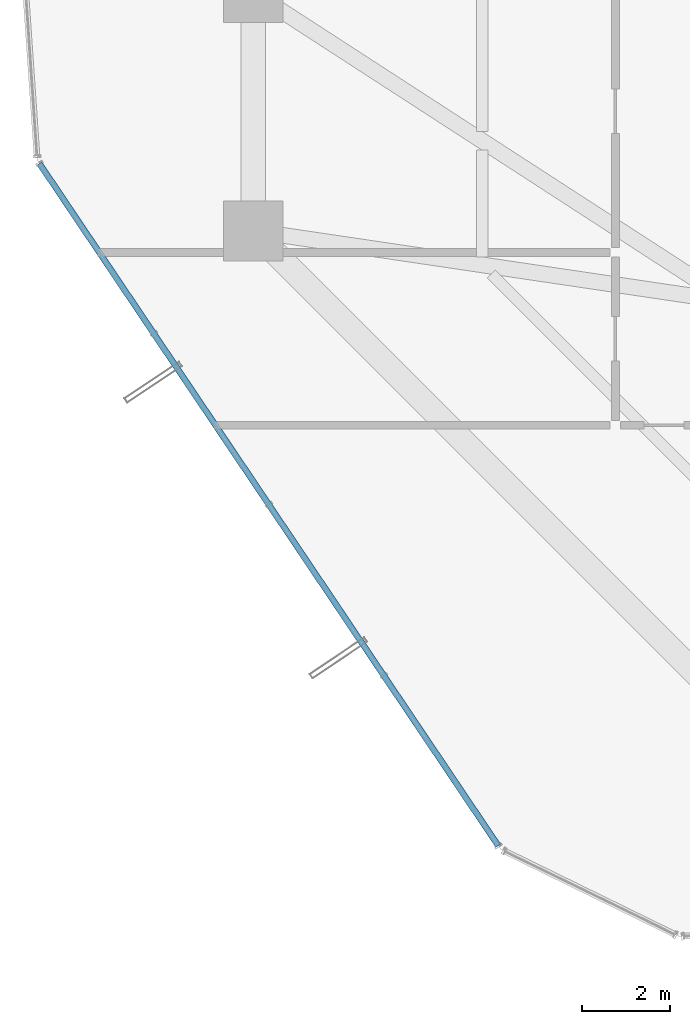
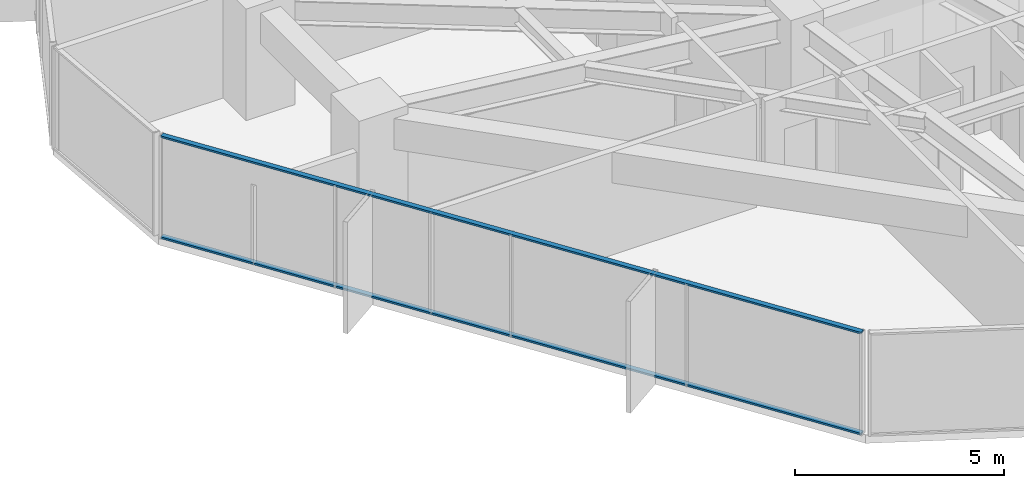
# One storey, part 3 of 37: 2 members, 1 element without a shape of its own.
"""IFC4 building model written with IfcOpenShell, lengths in metres."""

import ifcopenshell
import ifcopenshell.guid

model = None  # the IFC model being written
_history = None  # IfcOwnerHistory: only IFC2X3 demands one
_inside = {}  # id of a spatial element -> (the spatial element, [elements in it])
_under = {}  # id of a project, library or spatial element -> (it, [spatial elements below it])
_declared = {}  # id of a project -> (the project, [libraries it declares])
_typed = {}  # id of a type object -> (the type object, [elements of that type])
_made_of = {}  # id of a material, layer set ... -> (it, [elements and type objects made of it])


def new_model(schema):
    """Start an empty IFC model of exactly this schema.

    Asked for "IFC4X3", IfcOpenShell would pick the latest addendum, in which some entities
    have other attributes; the version numbers below select the first issue.
    IFC2X3 requires an IfcOwnerHistory on every rooted entity: one is made here for all.
    """
    global model, _history
    if schema == "IFC4X3":
        model = ifcopenshell.file(schema_version=(4, 3, 0, 0))
    else:
        model = ifcopenshell.file(schema=schema)
    _inside.clear()
    _under.clear()
    _declared.clear()
    _typed.clear()
    _made_of.clear()
    _history = None
    if model.schema == "IFC2X3":
        org = make("IfcOrganization", Name="unknown")
        user = make(
            "IfcPersonAndOrganization",
            ThePerson=make("IfcPerson", FamilyName="unknown"),
            TheOrganization=org,
        )
        app = make(
            "IfcApplication",
            ApplicationDeveloper=org,
            Version="unknown",
            ApplicationFullName="unknown",
            ApplicationIdentifier="unknown",
        )
        _history = make(
            "IfcOwnerHistory",
            OwningUser=user,
            OwningApplication=app,
            ChangeAction="ADDED",
            CreationDate=0,
        )
    return model


def make(cls, **values):
    """One entity of the class cls with the attributes given. An attribute that is None is left unset."""
    return model.create_entity(
        cls, **{name: value for name, value in values.items() if value is not None}
    )


def rooted(cls, **values):
    """An entity with a GlobalId (a new one), such as an element, a storey or a relation."""
    return make(cls, GlobalId=ifcopenshell.guid.new(), OwnerHistory=_history, **values)


def si_unit(unit_type, name, prefix=None):
    """IfcSIUnit, for example si_unit("LENGTHUNIT", "METRE", prefix="MILLI")."""
    return make("IfcSIUnit", UnitType=unit_type, Prefix=prefix, Name=name)


def assignment(units):
    """IfcUnitAssignment: the units of a project."""
    return None if units is None else make("IfcUnitAssignment", Units=units)


def point(xyz):
    """IfcCartesianPoint."""
    return None if xyz is None else make("IfcCartesianPoint", Coordinates=xyz)


def direction(xyz):
    """IfcDirection."""
    return None if xyz is None else make("IfcDirection", DirectionRatios=xyz)


def frame(location, z_axis=None, x_axis=None):
    """IfcAxis2Placement3D, a coordinate frame: its origin and axes. An axis left out is left unset."""
    return make(
        "IfcAxis2Placement3D",
        Location=point(location),
        Axis=direction(z_axis),
        RefDirection=direction(x_axis),
    )


def frame_2d(location, x_axis=None):
    """IfcAxis2Placement2D, a coordinate frame in the plane: its origin and x axis."""
    return make(
        "IfcAxis2Placement2D", Location=point(location), RefDirection=direction(x_axis)
    )


def origin():
    """The frame at (0, 0, 0) with its axes left unset."""
    return frame((0.0, 0.0, 0.0))


def origin_2d():
    """The frame at (0, 0) in the plane with its x axis left unset."""
    return frame_2d((0.0, 0.0))


def place(relative_to, where):
    """IfcLocalPlacement: puts the frame where relative to a parent placement (None: the world)."""
    return make(
        "IfcLocalPlacement", PlacementRelTo=relative_to, RelativePlacement=where
    )


def context(
    kind, dimensions, precision=None, world=None, true_north=None, identifier=None
):
    """IfcGeometricRepresentationContext, for example the 3D "Model" context."""
    return make(
        "IfcGeometricRepresentationContext",
        ContextIdentifier=identifier,
        ContextType=kind,
        CoordinateSpaceDimension=dimensions,
        Precision=precision,
        WorldCoordinateSystem=world,
        TrueNorth=true_north,
    )


def subcontext(parent, identifier, kind, view, scale=None):
    """IfcGeometricRepresentationSubContext, for example "Body" below "Model"."""
    return make(
        "IfcGeometricRepresentationSubContext",
        ContextIdentifier=identifier,
        ContextType=kind,
        ParentContext=parent,
        TargetScale=scale,
        TargetView=view,
    )


def project(units=None, contexts=None):
    """IfcProject with its units and contexts."""
    return rooted(
        "IfcProject",
        Name="project",
        RepresentationContexts=contexts,
        UnitsInContext=assignment(units),
    )


def spatial(cls, under=None, at=None, **own):
    """A site, building, storey or space (cls), placed at a placement, below another one or the project."""
    s = rooted(cls, ObjectPlacement=at, **own)
    if under is not None:
        _under.setdefault(under.id(), (under, []))[1].append(s)
    return s


def profile(cls, at=None, kind="AREA", **sizes):
    """A parametric profile (cls). Its sizes go by their IFC names, for example OverallWidth=200.0."""
    return make(cls, ProfileType=kind, Position=at, **sizes)


def hollow_rectangle(**sizes):
    """IfcRectangleHollowProfileDef."""
    return profile("IfcRectangleHollowProfileDef", **sizes)


def extrude(swept, where, along, depth):
    """IfcExtrudedAreaSolid: the profile swept, set in the frame where, extruded along a direction by depth."""
    return make(
        "IfcExtrudedAreaSolid",
        SweptArea=swept,
        Position=where,
        ExtrudedDirection=direction(along),
        Depth=depth,
    )


def shape(context_of_items, identifier, shape_type, items):
    """IfcShapeRepresentation: the items that make up one representation, for example the "Body"."""
    return make(
        "IfcShapeRepresentation",
        ContextOfItems=context_of_items,
        RepresentationIdentifier=identifier,
        RepresentationType=shape_type,
        Items=items,
    )


def source(mapping_origin, context_of_items, identifier, shape_type, items):
    """IfcRepresentationMap: a shape defined once, which mapped items show again and again."""
    return make(
        "IfcRepresentationMap",
        MappingOrigin=mapping_origin,
        MappedRepresentation=shape(context_of_items, identifier, shape_type, items),
    )


def transform(
    local_origin,
    x_axis=None,
    y_axis=None,
    z_axis=None,
    scale=None,
    scale2=None,
    scale3=None,
    uniform=True,
):
    """IfcCartesianTransformationOperator3D, or its non-uniform kind. x_axis, y_axis, z_axis: its Axis1, 2, 3."""
    if uniform:
        return make(
            "IfcCartesianTransformationOperator3D",
            Axis1=direction(x_axis),
            Axis2=direction(y_axis),
            LocalOrigin=point(local_origin),
            Scale=scale,
            Axis3=direction(z_axis),
        )
    return make(
        "IfcCartesianTransformationOperator3DnonUniform",
        Axis1=direction(x_axis),
        Axis2=direction(y_axis),
        LocalOrigin=point(local_origin),
        Scale=scale,
        Axis3=direction(z_axis),
        Scale2=scale2,
        Scale3=scale3,
    )


def mapped(mapping_source, mapping_target):
    """IfcMappedItem: shows the shape of a source again, moved by a transform."""
    return make(
        "IfcMappedItem", MappingSource=mapping_source, MappingTarget=mapping_target
    )


def material(Name=None, Category=None):
    """IfcMaterial."""
    return make("IfcMaterial", Name=Name, Category=Category)


def layer(
    of_material, thickness, ventilated=None, Name=None, Category=None, Priority=None
):
    """IfcMaterialLayer: one layer of a wall or slab, of a material (None: an air gap)."""
    return make(
        "IfcMaterialLayer",
        Material=of_material,
        LayerThickness=thickness,
        IsVentilated=ventilated,
        Name=Name,
        Category=Category,
        Priority=Priority,
    )


def layer_set(layers, Name=None):
    """IfcMaterialLayerSet."""
    return make("IfcMaterialLayerSet", MaterialLayers=layers, LayerSetName=Name)


def material_profile(
    of_material, cross_section, Name=None, Category=None, Priority=None
):
    """IfcMaterialProfile: a cross section and its material."""
    return make(
        "IfcMaterialProfile",
        Name=Name,
        Material=of_material,
        Profile=cross_section,
        Priority=Priority,
        Category=Category,
    )


def profile_set(profiles, Name=None, composite=None):
    """IfcMaterialProfileSet."""
    return make(
        "IfcMaterialProfileSet",
        Name=Name,
        MaterialProfiles=profiles,
        CompositeProfile=composite,
    )


def made_of(thing, what):
    """Note that an element or type object is made of a material, layer set ...; save() writes the relation."""
    if what is not None:
        _made_of.setdefault(what.id(), (what, []))[1].append(thing)
    return thing


def type_object(cls, material=None, **own):
    """A type object (cls), such as IfcWallType, which elements share."""
    return made_of(rooted(cls, **own), material)


def element(
    cls,
    number,
    at=None,
    inside=None,
    cuts=None,
    type_object=None,
    material=None,
    context=None,
    identifier="Body",
    shape_type=None,
    held_by="IfcProductDefinitionShape",
    body=None,
    shapes=None,
    **own,
):
    """One element of the class cls, such as IfcWall. Its Tag is "e" and its number.

    at: its placement. inside: the storey or other place that contains it. cuts: it is an
    opening in that element (IfcRelVoidsElement). A single representation is given by context,
    identifier, shape_type and body (its items); several are given by shapes. held_by: the class
    of the entity that holds the representations. save() writes the other relations.
    """
    e = rooted(cls, Tag="e%d" % number, ObjectPlacement=at, **own)
    if body is not None:
        shapes = [shape(context, identifier, shape_type, body)]
    if shapes is not None:
        e.Representation = make(held_by, Representations=shapes)
    if inside is not None:
        _inside.setdefault(inside.id(), (inside, []))[1].append(e)
    if cuts is not None:
        rooted(
            "IfcRelVoidsElement", RelatingBuildingElement=cuts, RelatedOpeningElement=e
        )
    if type_object is not None:
        _typed.setdefault(type_object.id(), (type_object, []))[1].append(e)
    return made_of(e, material)


def aggregate(whole, parts):
    """IfcRelAggregates: a whole, such as a stair, and the parts it consists of."""
    return rooted("IfcRelAggregates", RelatingObject=whole, RelatedObjects=parts)


def save(model, path):
    """Write the relations noted so far, then the file.

    IfcRelAggregates (storeys below a building ...), IfcRelContainedInSpatialStructure (elements
    in a storey), IfcRelDefinesByType, IfcRelAssociatesMaterial and IfcRelDeclares: one each for
    every whole, place, type object, material and project.
    """
    for whole, parts in _under.values():
        aggregate(whole, parts)
    for where, things in _inside.values():
        rooted(
            "IfcRelContainedInSpatialStructure",
            RelatedElements=things,
            RelatingStructure=where,
        )
    for kind, things in _typed.values():
        rooted("IfcRelDefinesByType", RelatedObjects=things, RelatingType=kind)
    for what, things in _made_of.values():
        rooted("IfcRelAssociatesMaterial", RelatedObjects=things, RelatingMaterial=what)
    for by, libraries in _declared.values():
        rooted("IfcRelDeclares", RelatingContext=by, RelatedDefinitions=libraries)
    model.write(path)


model = new_model("IFC4")

# Units and contexts
model_context = context("Model", 3, precision=1e-05, world=origin(), true_north=direction((0.0, 1.0)))
body_context = subcontext(model_context, "Body", "Model", "MODEL_VIEW")
ifc_project = project(units=[si_unit("LENGTHUNIT", "METRE"), si_unit("AREAUNIT", "SQUARE_METRE"), si_unit("VOLUMEUNIT", "CUBIC_METRE"), si_unit("PLANEANGLEUNIT", "RADIAN"), si_unit("MASSUNIT", "GRAM", prefix="KILO")], contexts=[model_context])

# Site, building, storey
site_placement = place(None, origin())
site = spatial("IfcSite", under=ifc_project, at=site_placement, CompositionType="ELEMENT")
building_placement = place(site_placement, origin())
building = spatial("IfcBuilding", under=site, at=building_placement, Name="Veraguas Prism Commons", CompositionType="ELEMENT")
storey_placement = place(building_placement, frame((0.0, 0.0, 37.050048828125)))
storey = spatial("IfcBuildingStorey", under=building, at=storey_placement, Name="L09", CompositionType="ELEMENT", Elevation=37.050048828125)

# Curtain wall, members
ifc_material = material(Name="Anodised aluminium EN AW-6063 T6", Category="aluminium")
ifc_layer = layer(ifc_material, 0.169921875, Name="Unitised Flush Curtain Wall Zone 1", Category="aluminium")
ifc_layer_set = layer_set([ifc_layer], Name="Anodised aluminium EN AW-6063 T6")
curtain_wall_type = type_object("IfcCurtainWallType", Name="Unitised Flush Curtain Wall Zone 1", PredefinedType="NOTDEFINED", material=ifc_layer_set)
curtain_wall_placement = place(storey_placement, origin())
curtain_wall = element("IfcCurtainWall", 1, at=curtain_wall_placement, inside=storey, type_object=curtain_wall_type, Name="Tower Facade Curtain Wall L09-F4", PredefinedType="NOTDEFINED")
ifc_material_profile = material_profile(ifc_material, hollow_rectangle(XDim=0.054931640625, YDim=0.135009765625, WallThickness=0.0029296875, at=origin_2d()), Name="AL55X135X3")
ifc_profile_set = profile_set([ifc_material_profile], Name="Anodised aluminium EN AW-6063 T6")
member_type = type_object("IfcMemberType", Name="Curtain Wall Transom Standard AL 55x135x3", PredefinedType="USERDEFINED", material=ifc_profile_set)
shared_shape = source(origin(), body_context, "Body", "SweptSolid", [
    extrude(hollow_rectangle(XDim=0.054931640625, YDim=0.135009765625, WallThickness=0.0029296875, at=origin_2d()), origin(), (0.0, 0.0, 1.0), 18.623779296875),
])
member_1_placement = place(storey_placement, frame((1.55615234375, 20.128662109375, 0.02734375), z_axis=(0.55803852358, -0.829815043368, 0.0), x_axis=(0.0, 0.0, 1.0)))
member_1 = element("IfcMember", 2, at=member_1_placement, type_object=member_type, Name="CW-Z1 Transom 1", ObjectType="TRANSOM", PredefinedType="USERDEFINED", context=body_context, shape_type="MappedRepresentation", body=[
    mapped(shared_shape, transform((0.0, 0.0, 0.0), scale=1.0)),
])
member_2_placement = place(storey_placement, frame((1.55615234375, 20.128662109375, 2.972412109375), z_axis=(0.55803852358, -0.829815043368, 0.0), x_axis=(0.0, 0.0, 1.0)))
member_2 = element("IfcMember", 3, at=member_2_placement, type_object=member_type, Name="CW-Z1 Transom 2", ObjectType="TRANSOM", PredefinedType="USERDEFINED", context=body_context, shape_type="MappedRepresentation", body=[
    mapped(shared_shape, transform((0.0, 0.0, 0.0), scale=1.0)),
])
aggregate(curtain_wall, [member_1, member_2])

save(model, "model.ifc")
